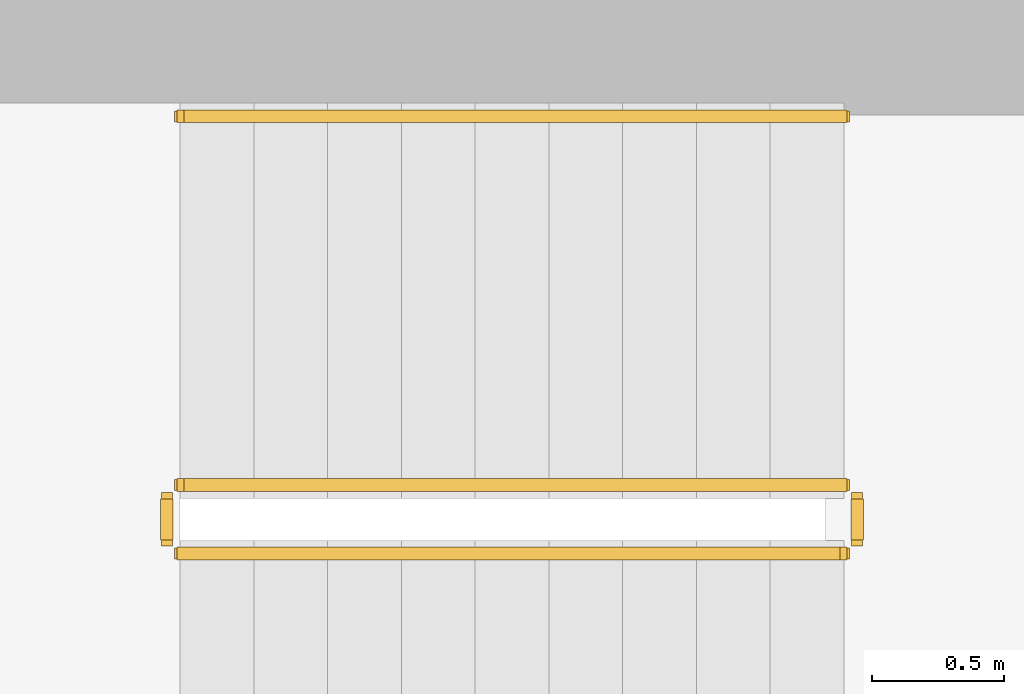
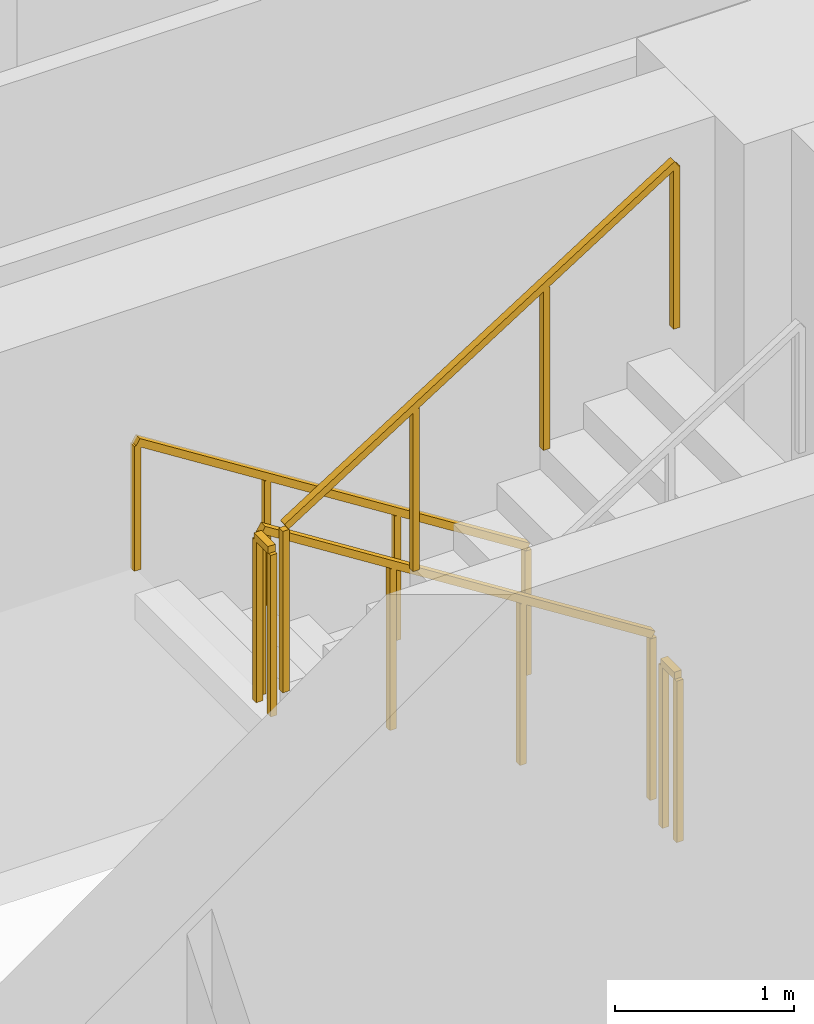
# One storey, part 11 of 12: 5 railings.
"""IFC4 building model written with IfcOpenShell, lengths in metres."""

from ifc_helpers import new_model, si_unit, direction, frame, origin, origin_2d, place, context, subcontext, project, spatial, rectangle, extrude, material, type_object, element, save


model = new_model("IFC4")

# Units and contexts
model_context = context("Model", 3, precision=1e-05, world=origin(), true_north=direction((0.0, 1.0)))
body_context = subcontext(model_context, "Body", "Model", "MODEL_VIEW")
ifc_project = project(units=[si_unit("LENGTHUNIT", "METRE"), si_unit("AREAUNIT", "SQUARE_METRE"), si_unit("VOLUMEUNIT", "CUBIC_METRE"), si_unit("PLANEANGLEUNIT", "RADIAN"), si_unit("MASSUNIT", "GRAM", prefix="KILO")], contexts=[model_context])

# Site, building, storey
site_placement = place(None, origin())
site = spatial("IfcSite", under=ifc_project, at=site_placement, CompositionType="ELEMENT")
building_placement = place(site_placement, origin())
building = spatial("IfcBuilding", under=site, at=building_placement, Name="Zarnavel Station Tower", CompositionType="ELEMENT")
storey_placement = place(building_placement, frame((0.0, 0.0, 166.10009765625)))
storey = spatial("IfcBuildingStorey", under=building, at=storey_placement, Name="L45", CompositionType="ELEMENT", Elevation=166.10009765625)

# Railings
ifc_material_1 = material(Name="Painted Steel S355J2 Balustrade", Category="steel")
railing_type_1 = type_object("IfcRailingType", Name="GR_INT_1150", PredefinedType="GUARDRAIL", material=ifc_material_1)
railing_1_placement = place(storey_placement, frame((19.47998046875, 35.3701171875, 0.177490234375)))
element("IfcRailing", 1, at=railing_1_placement, inside=storey, type_object=railing_type_1, Name="L45 ST1 stair guard 1", PredefinedType="GUARDRAIL", context=body_context, shape_type="SweptSolid", body=[
    extrude(rectangle(XDim=0.048095703125, YDim=0.048095703125, at=origin_2d()), frame((-0.001708984375, 0.0, 1.126953125), z_axis=(-0.84460694969, 0.0, 0.535386869969), x_axis=(0.0, -1.0, 0.0)), (0.0, 0.0, 1.0), 2.979736328125),
    extrude(rectangle(XDim=0.0419921875, YDim=0.0419921875, at=origin_2d()), origin(), (0.0, 0.0, 1.0), 1.101806640625),
    extrude(rectangle(XDim=0.0419921875, YDim=0.0419921875, at=origin_2d()), frame((-0.840087890625, 0.0, 0.532470703125)), (0.0, 0.0, 1.0), 1.101806640625),
    extrude(rectangle(XDim=0.0419921875, YDim=0.0419921875, at=origin_2d()), frame((-1.679931640625, 0.0, 1.06494140625)), (0.0, 0.0, 1.0), 1.101806640625),
    extrude(rectangle(XDim=0.0419921875, YDim=0.0419921875, at=origin_2d()), frame((-2.52001953125, 0.0, 1.597412109375)), (0.0, 0.0, 1.0), 1.101806640625),
])
railing_2_placement = place(storey_placement, frame((16.909912109375, 35.320068359375, 1.77490234375)))
element("IfcRailing", 2, at=railing_2_placement, inside=storey, type_object=railing_type_1, Name="L45 ST1 stair guard 2", PredefinedType="GUARDRAIL", context=body_context, shape_type="SweptSolid", body=[
    extrude(rectangle(XDim=0.048095703125, YDim=0.048095703125, at=origin_2d()), frame((0.0, -0.001953125, 1.1259765625), z_axis=(0.0, -1.0, 0.0), x_axis=(1.0, 0.0, 0.0)), (0.0, 0.0, 1.0), 0.15625),
    extrude(rectangle(XDim=0.0419921875, YDim=0.0419921875, at=origin_2d()), origin(), (0.0, 0.0, 1.0), 1.101806640625),
    extrude(rectangle(XDim=0.0419921875, YDim=0.0419921875, at=origin_2d()), frame((0.0, -0.16015625, 0.0)), (0.0, 0.0, 1.0), 1.101806640625),
])
railing_3_placement = place(storey_placement, frame((16.9599609375, 35.110107421875, 1.952392578125)))
element("IfcRailing", 3, at=railing_3_placement, inside=storey, type_object=railing_type_1, Name="L45 ST1 stair guard 3", PredefinedType="GUARDRAIL", context=body_context, shape_type="SweptSolid", body=[
    extrude(rectangle(XDim=0.048095703125, YDim=0.048095703125, at=origin_2d()), frame((0.001708984375, 0.0, 1.126953125), z_axis=(0.84460694969, 0.0, 0.535386869969), x_axis=(0.0, 1.0, 0.0)), (0.0, 0.0, 1.0), 2.979736328125),
    extrude(rectangle(XDim=0.0419921875, YDim=0.0419921875, at=origin_2d()), origin(), (0.0, 0.0, 1.0), 1.101806640625),
    extrude(rectangle(XDim=0.0419921875, YDim=0.0419921875, at=origin_2d()), frame((0.840087890625, 0.0, 0.532470703125)), (0.0, 0.0, 1.0), 1.101806640625),
    extrude(rectangle(XDim=0.0419921875, YDim=0.0419921875, at=origin_2d()), frame((1.679931640625, 0.0, 1.06494140625)), (0.0, 0.0, 1.0), 1.101806640625),
    extrude(rectangle(XDim=0.0419921875, YDim=0.0419921875, at=origin_2d()), frame((2.52001953125, 0.0, 1.597412109375)), (0.0, 0.0, 1.0), 1.101806640625),
])
railing_4_placement = place(storey_placement, frame((19.530029296875, 35.320068359375, 0.0)))
element("IfcRailing", 4, at=railing_4_placement, inside=storey, type_object=railing_type_1, Name="L45 ST1 stair guard 4", PredefinedType="GUARDRAIL", context=body_context, shape_type="SweptSolid", body=[
    extrude(rectangle(XDim=0.048095703125, YDim=0.048095703125, at=origin_2d()), frame((0.0, -0.001953125, 1.1259765625), z_axis=(0.0, -1.0, 0.0), x_axis=(1.0, 0.0, 0.0)), (0.0, 0.0, 1.0), 0.15625),
    extrude(rectangle(XDim=0.0419921875, YDim=0.0419921875, at=origin_2d()), origin(), (0.0, 0.0, 1.0), 1.101806640625),
    extrude(rectangle(XDim=0.0419921875, YDim=0.0419921875, at=origin_2d()), frame((0.0, -0.16015625, 0.0)), (0.0, 0.0, 1.0), 1.101806640625),
])
ifc_material_2 = material(Name="Brushed Stainless Steel S355J2 Handrail", Category="steel")
railing_type_2 = type_object("IfcRailingType", Name="HR_STAIR_900", PredefinedType="HANDRAIL", material=ifc_material_2)
railing_5_placement = place(storey_placement, frame((19.47998046875, 36.77001953125, 0.177490234375)))
element("IfcRailing", 5, at=railing_5_placement, inside=storey, type_object=railing_type_2, Name="L45 ST1 stair handrail 1", PredefinedType="HANDRAIL", context=body_context, shape_type="SweptSolid", body=[
    extrude(rectangle(XDim=0.048095703125, YDim=0.048095703125, at=origin_2d()), frame((-0.001708984375, 0.0, 0.876953125), z_axis=(-0.84460694969, 0.0, 0.535386869969), x_axis=(0.0, -1.0, 0.0)), (0.0, 0.0, 1.0), 2.979736328125),
    extrude(rectangle(XDim=0.0419921875, YDim=0.0419921875, at=origin_2d()), origin(), (0.0, 0.0, 1.0), 0.851806640625),
    extrude(rectangle(XDim=0.0419921875, YDim=0.0419921875, at=origin_2d()), frame((-0.840087890625, 0.0, 0.532470703125)), (0.0, 0.0, 1.0), 0.851806640625),
    extrude(rectangle(XDim=0.0419921875, YDim=0.0419921875, at=origin_2d()), frame((-1.679931640625, 0.0, 1.06494140625)), (0.0, 0.0, 1.0), 0.851806640625),
    extrude(rectangle(XDim=0.0419921875, YDim=0.0419921875, at=origin_2d()), frame((-2.52001953125, 0.0, 1.597412109375)), (0.0, 0.0, 1.0), 0.851806640625),
])

save(model, "model.ifc")
